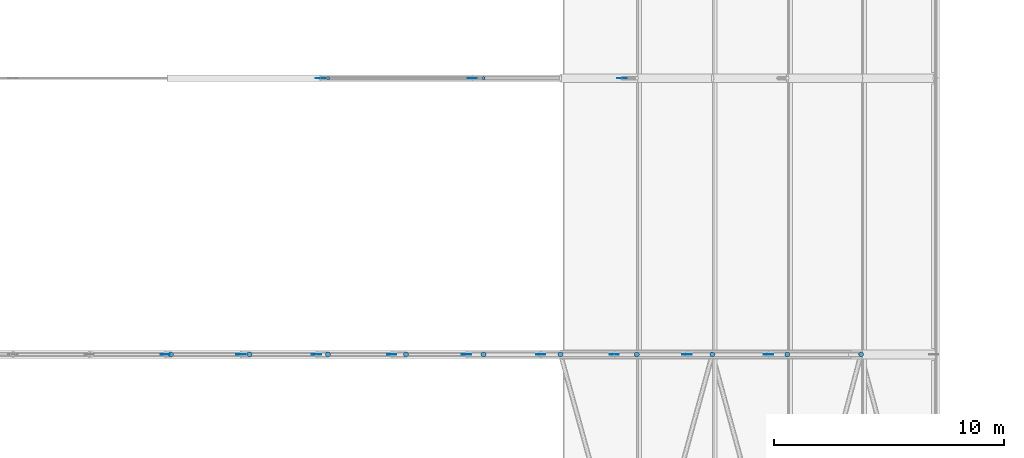
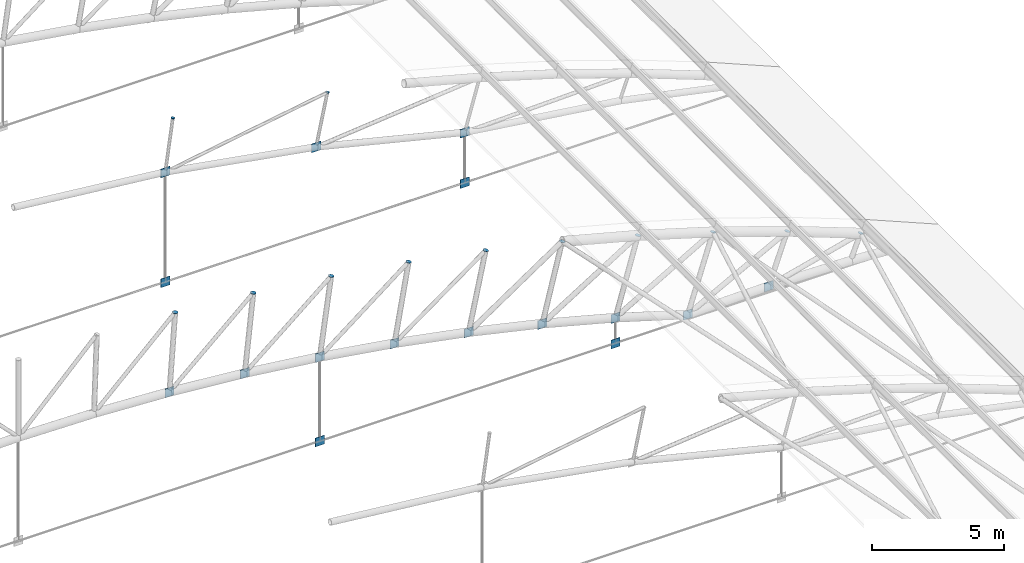
# One storey, part 281 of 321: 28 discrete accessories.
"""IFC4 building model written with IfcOpenShell, lengths in metres."""

from ifc_helpers import new_model, si_unit, direction, frame, origin, origin_2d, place, context, subcontext, project, spatial, rectangle, circle, extrude, material, material_profile, profile_set, type_object, element, save


model = new_model("IFC4")

# Units and contexts
model_context = context("Model", 3, precision=1e-05, world=origin(), true_north=direction((0.0, 1.0)))
body_context = subcontext(model_context, "Body", "Model", "MODEL_VIEW")
ifc_project = project(units=[si_unit("LENGTHUNIT", "METRE"), si_unit("AREAUNIT", "SQUARE_METRE"), si_unit("VOLUMEUNIT", "CUBIC_METRE"), si_unit("PLANEANGLEUNIT", "RADIAN"), si_unit("MASSUNIT", "GRAM", prefix="KILO")], contexts=[model_context])

# Site, building, storey
site_placement = place(None, origin())
site = spatial("IfcSite", under=ifc_project, at=site_placement, CompositionType="ELEMENT")
building_placement = place(site_placement, origin())
building = spatial("IfcBuilding", under=site, at=building_placement, Name="Ravi Spectrum Wholesale Market", CompositionType="ELEMENT")
storey_placement = place(building_placement, frame((0.0, 0.0, 10.800048828125)))
storey = spatial("IfcBuildingStorey", under=building, at=storey_placement, Name="L02", CompositionType="ELEMENT", Elevation=10.800048828125)

# Discrete accessories
ifc_material_1 = material(Name="Steel S355", Category="steel")
ifc_material_profile_1 = material_profile(ifc_material_1, circle(Radius=0.06982421875, at=origin_2d()))
ifc_profile_set_1 = profile_set([ifc_material_profile_1], Name="Steel S355")
discrete_accessory_type_1 = type_object("IfcDiscreteAccessoryType", Name="End plate CHS 139.7x5", PredefinedType="BRACKET", material=ifc_profile_set_1)
for number, where, z_axis, x_axis, name in (
    (1, (83.681884765625, 138.0, 7.479736328125), (0.141421356237, 0.0, 0.989949493661), (0.0, 1.0, 0.0), "End plate"),
    (2, (90.44140625, 138.0, 6.30224609375), (0.203954254112, 0.0, 0.978980419738), (0.0, 1.0, 0.0), "End plate"),
):
    element("IfcDiscreteAccessory", number, at=place(storey_placement, frame(where, z_axis=z_axis, x_axis=x_axis)), inside=storey, type_object=discrete_accessory_type_1, Name=name, PredefinedType="BRACKET", context=body_context, shape_type="SweptSolid", body=[
        extrude(circle(Radius=0.06982421875, at=origin_2d()), origin(), (0.0, 0.0, 1.0), 0.011962890625),
    ])
ifc_material_2 = material(Name="Steel S355", Category="steel")
ifc_material_profile_2 = material_profile(ifc_material_2, circle(Radius=0.109619140625, at=origin_2d()))
ifc_profile_set_2 = profile_set([ifc_material_profile_2], Name="Steel S355")
discrete_accessory_type_2 = type_object("IfcDiscreteAccessoryType", Name="End plate CHS 219.1x8", PredefinedType="BRACKET", material=ifc_profile_set_2)
for number, where, z_axis, x_axis, name in (
    (3, (76.85546875, 126.0, 8.163330078125), (0.081362009455, 0.0, 0.996684615823), (0.0, 1.0, 0.0), "End plate"),
    (4, (80.273193359375, 126.0, 7.867919921875), (0.101513688013, 0.0, 0.994834142531), (0.0, 1.0, 0.0), "End plate"),
    (5, (83.678466796875, 126.0, 7.45458984375), (0.141421356237, 0.0, 0.989949493661), (0.0, 1.0, 0.0), "End plate"),
    (6, (87.0673828125, 126.0, 6.92431640625), (0.18428853505, 0.0, 0.982872186934), (0.0, 1.0, 0.0), "End plate"),
    (7, (90.436279296875, 126.0, 6.27734375), (0.203954254112, 0.0, 0.978980419738), (0.0, 1.0, 0.0), "End plate"),
    (8, (93.78076171875, 126.0, 5.514404296875), (0.223376156329, 0.0, 0.974732318528), (0.0, 1.0, 0.0), "End plate"),
):
    element("IfcDiscreteAccessory", number, at=place(storey_placement, frame(where, z_axis=z_axis, x_axis=x_axis)), inside=storey, type_object=discrete_accessory_type_2, Name=name, PredefinedType="BRACKET", context=body_context, shape_type="SweptSolid", body=[
        extrude(circle(Radius=0.109619140625, at=origin_2d()), origin(), (0.0, 0.0, 1.0), 0.011962890625),
    ])
discrete_accessory_1_placement = place(storey_placement, frame((97.096923828125, 126.0, 4.63671875), z_axis=(0.261415475728, 0.0, 0.96522637192), x_axis=(0.0, 1.0, 0.0)))
element("IfcDiscreteAccessory", 9, at=discrete_accessory_1_placement, inside=storey, type_object=discrete_accessory_type_2, Name="End plate", PredefinedType="BRACKET", context=body_context, shape_type="SweptSolid", body=[
    extrude(circle(Radius=0.109619140625, at=origin_2d()), origin(), (0.0, 0.0, 1.0), 0.01220703125),
])
for number, where, z_axis, x_axis, name in (
    (10, (100.380615234375, 126.0, 3.645263671875), (0.304040173793, 0.0, 0.952659211219), (0.0, 1.0, 0.0), "End plate"),
    (11, (103.62841796875, 126.0, 2.541015625), (0.346650140872, 0.0, 0.937994498829), (0.0, 1.0, 0.0), "End plate"),
    (12, (106.836181640625, 126.0, 1.325439453125), (0.364399348581, 0.0, 0.931242779706), (0.0, 1.0, 0.0), "End plate"),
):
    element("IfcDiscreteAccessory", number, at=place(storey_placement, frame(where, z_axis=z_axis, x_axis=x_axis)), inside=storey, type_object=discrete_accessory_type_2, Name=name, PredefinedType="BRACKET", context=body_context, shape_type="SweptSolid", body=[
        extrude(circle(Radius=0.109619140625, at=origin_2d()), origin(), (0.0, 0.0, 1.0), 0.011962890625),
    ])
ifc_material_3 = material(Name="Steel S355", Category="steel")
ifc_material_profile_3 = material_profile(ifc_material_3, rectangle(XDim=0.39990234375, YDim=0.02001953125, at=origin_2d()))
ifc_profile_set_3 = profile_set([ifc_material_profile_3], Name="Steel S355")
discrete_accessory_type_3 = type_object("IfcDiscreteAccessoryType", Name="Gusset plate 400x400x20", PredefinedType="BRACKET", material=ifc_profile_set_3)
discrete_accessory_2_placement = place(storey_placement, frame((76.607421875, 126.0, 4.371826171875), z_axis=(0.0, 0.0, 1.0), x_axis=(-1.0, 0.0, 0.0)))
element("IfcDiscreteAccessory", 13, at=discrete_accessory_2_placement, inside=storey, type_object=discrete_accessory_type_3, Name="Gusset plate", PredefinedType="BRACKET", context=body_context, shape_type="SweptSolid", body=[
    extrude(rectangle(XDim=0.39990234375, YDim=0.02001953125, at=origin_2d()), origin(), (0.0, 0.0, 1.0), 0.400146484375),
])
for number, where, z_axis, x_axis, name in (
    (14, (79.901123046875, 126.0, 4.087158203125), (0.0, 0.0, 1.0), (-1.0, 0.0, 0.0), "Gusset plate"),
    (15, (83.18310546875, 126.0, -0.199951171875), (0.0, 0.0, 1.0), (1.0, 0.0, 0.0), "Gusset plate"),
    (16, (83.18310546875, 126.0, 3.68896484375), (0.0, 0.0, 1.0), (-1.0, 0.0, 0.0), "Gusset plate"),
    (17, (83.351806640625, 138.0, -0.1767578125), (0.0, 0.0, 1.0), (1.0, 0.0, 0.0), "Gusset plate"),
):
    element("IfcDiscreteAccessory", number, at=place(storey_placement, frame(where, z_axis=z_axis, x_axis=x_axis)), inside=storey, type_object=discrete_accessory_type_3, Name=name, PredefinedType="BRACKET", context=body_context, shape_type="SweptSolid", body=[
        extrude(rectangle(XDim=0.39990234375, YDim=0.02001953125, at=origin_2d()), origin(), (0.0, 0.0, 1.0), 0.39990234375),
    ])
discrete_accessory_3_placement = place(storey_placement, frame((83.351806640625, 138.0, 4.902587890625), z_axis=(0.0, 0.0, 1.0), x_axis=(-1.0, 0.0, 0.0)))
element("IfcDiscreteAccessory", 18, at=discrete_accessory_3_placement, inside=storey, type_object=discrete_accessory_type_3, Name="Gusset plate", PredefinedType="BRACKET", context=body_context, shape_type="SweptSolid", body=[
    extrude(rectangle(XDim=0.39990234375, YDim=0.02001953125, at=origin_2d()), origin(), (0.0, 0.0, 1.0), 0.400146484375),
])
for number, where, z_axis, x_axis, name in (
    (19, (86.44970703125, 126.0, 3.177734375), (0.0, 0.0, 1.0), (-1.0, 0.0, 0.0), "Gusset plate"),
    (20, (89.6962890625, 126.0, 2.55419921875), (0.0, 0.0, 1.0), (-1.0, 0.0, 0.0), "Gusset plate"),
    (21, (89.9482421875, 138.0, 3.75341796875), (0.0, 0.0, 1.0), (-1.0, 0.0, 0.0), "Gusset plate"),
    (22, (92.919677734375, 126.0, 1.819091796875), (0.0, 0.0, 1.0), (-1.0, 0.0, 0.0), "Gusset plate"),
    (23, (96.11572265625, 126.0, -0.199951171875), (0.0, 0.0, 1.0), (1.0, 0.0, 0.0), "Gusset plate"),
    (24, (96.11572265625, 126.0, 0.97314453125), (0.0, 0.0, 1.0), (-1.0, 0.0, 0.0), "Gusset plate"),
    (25, (96.44970703125, 138.0, -0.1767578125), (0.0, 0.0, 1.0), (1.0, 0.0, 0.0), "Gusset plate"),
    (26, (96.44970703125, 138.0, 2.152099609375), (0.0, 0.0, 1.0), (-1.0, 0.0, 0.0), "Gusset plate"),
):
    element("IfcDiscreteAccessory", number, at=place(storey_placement, frame(where, z_axis=z_axis, x_axis=x_axis)), inside=storey, type_object=discrete_accessory_type_3, Name=name, PredefinedType="BRACKET", context=body_context, shape_type="SweptSolid", body=[
        extrude(rectangle(XDim=0.39990234375, YDim=0.02001953125, at=origin_2d()), origin(), (0.0, 0.0, 1.0), 0.39990234375),
    ])
discrete_accessory_4_placement = place(storey_placement, frame((99.28076171875, 126.0, 0.017333984375), z_axis=(0.0, 0.0, 1.0), x_axis=(-1.0, 0.0, 0.0)))
element("IfcDiscreteAccessory", 27, at=discrete_accessory_4_placement, inside=storey, type_object=discrete_accessory_type_3, Name="Gusset plate", PredefinedType="BRACKET", context=body_context, shape_type="SweptSolid", body=[
    extrude(rectangle(XDim=0.39990234375, YDim=0.02001953125, at=origin_2d()), origin(), (0.0, 0.0, 1.0), 0.400146484375),
])
discrete_accessory_5_placement = place(storey_placement, frame((102.81689453125, 126.0, 0.08251953125), z_axis=(0.0, 0.0, 1.0), x_axis=(-1.0, 0.0, 0.0)))
element("IfcDiscreteAccessory", 28, at=discrete_accessory_5_placement, inside=storey, type_object=discrete_accessory_type_3, Name="Gusset plate", PredefinedType="BRACKET", context=body_context, shape_type="SweptSolid", body=[
    extrude(rectangle(XDim=0.39990234375, YDim=0.02001953125, at=origin_2d()), origin(), (0.0, 0.0, 1.0), 0.39990234375),
])

save(model, "model.ifc")
